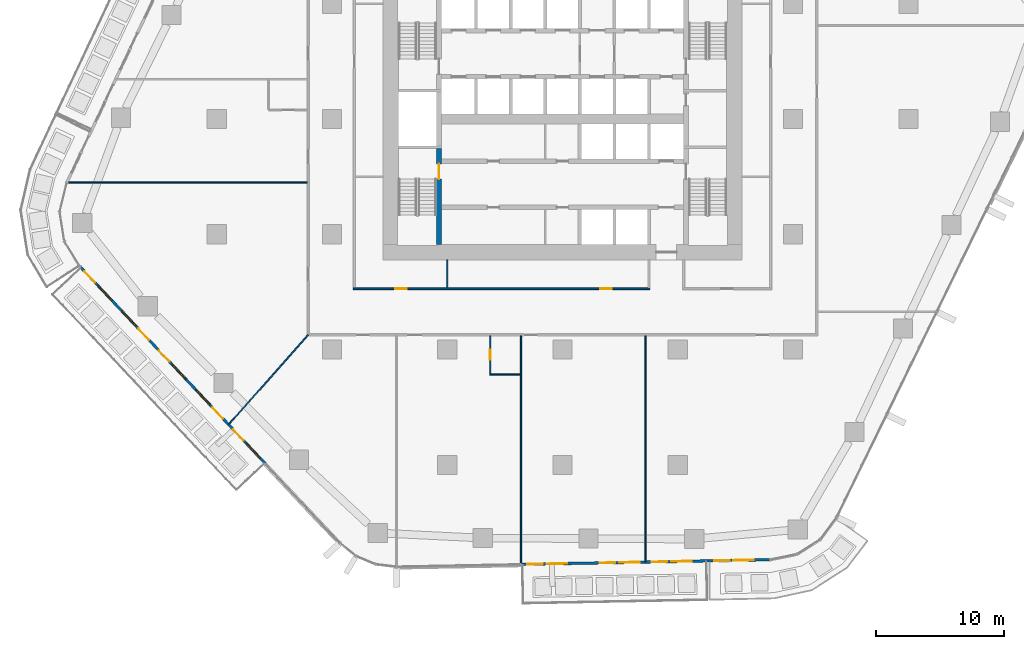
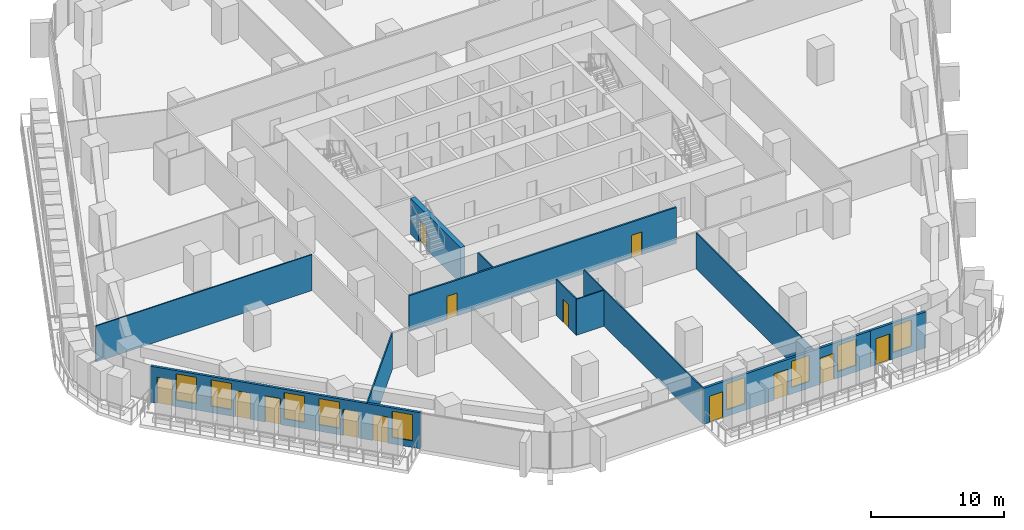
# One storey, part 13 of 25: 13 doors, 12 walls, 9 windows, 22 openings.
"""IFC4 building model written with IfcOpenShell, lengths in metres."""

import ifcopenshell
import ifcopenshell.guid

model = None  # the IFC model being written
_history = None  # IfcOwnerHistory: only IFC2X3 demands one
_inside = {}  # id of a spatial element -> (the spatial element, [elements in it])
_under = {}  # id of a project, library or spatial element -> (it, [spatial elements below it])
_declared = {}  # id of a project -> (the project, [libraries it declares])
_typed = {}  # id of a type object -> (the type object, [elements of that type])
_made_of = {}  # id of a material, layer set ... -> (it, [elements and type objects made of it])


def new_model(schema):
    """Start an empty IFC model of exactly this schema.

    Asked for "IFC4X3", IfcOpenShell would pick the latest addendum, in which some entities
    have other attributes; the version numbers below select the first issue.
    IFC2X3 requires an IfcOwnerHistory on every rooted entity: one is made here for all.
    """
    global model, _history
    if schema == "IFC4X3":
        model = ifcopenshell.file(schema_version=(4, 3, 0, 0))
    else:
        model = ifcopenshell.file(schema=schema)
    _inside.clear()
    _under.clear()
    _declared.clear()
    _typed.clear()
    _made_of.clear()
    _history = None
    if model.schema == "IFC2X3":
        org = make("IfcOrganization", Name="unknown")
        user = make(
            "IfcPersonAndOrganization",
            ThePerson=make("IfcPerson", FamilyName="unknown"),
            TheOrganization=org,
        )
        app = make(
            "IfcApplication",
            ApplicationDeveloper=org,
            Version="unknown",
            ApplicationFullName="unknown",
            ApplicationIdentifier="unknown",
        )
        _history = make(
            "IfcOwnerHistory",
            OwningUser=user,
            OwningApplication=app,
            ChangeAction="ADDED",
            CreationDate=0,
        )
    return model


def make(cls, **values):
    """One entity of the class cls with the attributes given. An attribute that is None is left unset."""
    return model.create_entity(
        cls, **{name: value for name, value in values.items() if value is not None}
    )


def rooted(cls, **values):
    """An entity with a GlobalId (a new one), such as an element, a storey or a relation."""
    return make(cls, GlobalId=ifcopenshell.guid.new(), OwnerHistory=_history, **values)


def si_unit(unit_type, name, prefix=None):
    """IfcSIUnit, for example si_unit("LENGTHUNIT", "METRE", prefix="MILLI")."""
    return make("IfcSIUnit", UnitType=unit_type, Prefix=prefix, Name=name)


def assignment(units):
    """IfcUnitAssignment: the units of a project."""
    return None if units is None else make("IfcUnitAssignment", Units=units)


def point(xyz):
    """IfcCartesianPoint."""
    return None if xyz is None else make("IfcCartesianPoint", Coordinates=xyz)


def direction(xyz):
    """IfcDirection."""
    return None if xyz is None else make("IfcDirection", DirectionRatios=xyz)


def frame(location, z_axis=None, x_axis=None):
    """IfcAxis2Placement3D, a coordinate frame: its origin and axes. An axis left out is left unset."""
    return make(
        "IfcAxis2Placement3D",
        Location=point(location),
        Axis=direction(z_axis),
        RefDirection=direction(x_axis),
    )


def frame_2d(location, x_axis=None):
    """IfcAxis2Placement2D, a coordinate frame in the plane: its origin and x axis."""
    return make(
        "IfcAxis2Placement2D", Location=point(location), RefDirection=direction(x_axis)
    )


def origin():
    """The frame at (0, 0, 0) with its axes left unset."""
    return frame((0.0, 0.0, 0.0))


def place(relative_to, where):
    """IfcLocalPlacement: puts the frame where relative to a parent placement (None: the world)."""
    return make(
        "IfcLocalPlacement", PlacementRelTo=relative_to, RelativePlacement=where
    )


def context(
    kind, dimensions, precision=None, world=None, true_north=None, identifier=None
):
    """IfcGeometricRepresentationContext, for example the 3D "Model" context."""
    return make(
        "IfcGeometricRepresentationContext",
        ContextIdentifier=identifier,
        ContextType=kind,
        CoordinateSpaceDimension=dimensions,
        Precision=precision,
        WorldCoordinateSystem=world,
        TrueNorth=true_north,
    )


def subcontext(parent, identifier, kind, view, scale=None):
    """IfcGeometricRepresentationSubContext, for example "Body" below "Model"."""
    return make(
        "IfcGeometricRepresentationSubContext",
        ContextIdentifier=identifier,
        ContextType=kind,
        ParentContext=parent,
        TargetScale=scale,
        TargetView=view,
    )


def project(units=None, contexts=None):
    """IfcProject with its units and contexts."""
    return rooted(
        "IfcProject",
        Name="project",
        RepresentationContexts=contexts,
        UnitsInContext=assignment(units),
    )


def spatial(cls, under=None, at=None, **own):
    """A site, building, storey or space (cls), placed at a placement, below another one or the project."""
    s = rooted(cls, ObjectPlacement=at, **own)
    if under is not None:
        _under.setdefault(under.id(), (under, []))[1].append(s)
    return s


def profile(cls, at=None, kind="AREA", **sizes):
    """A parametric profile (cls). Its sizes go by their IFC names, for example OverallWidth=200.0."""
    return make(cls, ProfileType=kind, Position=at, **sizes)


def rectangle(**sizes):
    """IfcRectangleProfileDef."""
    return profile("IfcRectangleProfileDef", **sizes)


def extrude(swept, where, along, depth):
    """IfcExtrudedAreaSolid: the profile swept, set in the frame where, extruded along a direction by depth."""
    return make(
        "IfcExtrudedAreaSolid",
        SweptArea=swept,
        Position=where,
        ExtrudedDirection=direction(along),
        Depth=depth,
    )


def shape(context_of_items, identifier, shape_type, items):
    """IfcShapeRepresentation: the items that make up one representation, for example the "Body"."""
    return make(
        "IfcShapeRepresentation",
        ContextOfItems=context_of_items,
        RepresentationIdentifier=identifier,
        RepresentationType=shape_type,
        Items=items,
    )


def material(Name=None, Category=None):
    """IfcMaterial."""
    return make("IfcMaterial", Name=Name, Category=Category)


def layer(
    of_material, thickness, ventilated=None, Name=None, Category=None, Priority=None
):
    """IfcMaterialLayer: one layer of a wall or slab, of a material (None: an air gap)."""
    return make(
        "IfcMaterialLayer",
        Material=of_material,
        LayerThickness=thickness,
        IsVentilated=ventilated,
        Name=Name,
        Category=Category,
        Priority=Priority,
    )


def layer_set(layers, Name=None):
    """IfcMaterialLayerSet."""
    return make("IfcMaterialLayerSet", MaterialLayers=layers, LayerSetName=Name)


def made_of(thing, what):
    """Note that an element or type object is made of a material, layer set ...; save() writes the relation."""
    if what is not None:
        _made_of.setdefault(what.id(), (what, []))[1].append(thing)
    return thing


def type_object(cls, material=None, **own):
    """A type object (cls), such as IfcWallType, which elements share."""
    return made_of(rooted(cls, **own), material)


def element(
    cls,
    number,
    at=None,
    inside=None,
    cuts=None,
    type_object=None,
    material=None,
    context=None,
    identifier="Body",
    shape_type=None,
    held_by="IfcProductDefinitionShape",
    body=None,
    shapes=None,
    **own,
):
    """One element of the class cls, such as IfcWall. Its Tag is "e" and its number.

    at: its placement. inside: the storey or other place that contains it. cuts: it is an
    opening in that element (IfcRelVoidsElement). A single representation is given by context,
    identifier, shape_type and body (its items); several are given by shapes. held_by: the class
    of the entity that holds the representations. save() writes the other relations.
    """
    e = rooted(cls, Tag="e%d" % number, ObjectPlacement=at, **own)
    if body is not None:
        shapes = [shape(context, identifier, shape_type, body)]
    if shapes is not None:
        e.Representation = make(held_by, Representations=shapes)
    if inside is not None:
        _inside.setdefault(inside.id(), (inside, []))[1].append(e)
    if cuts is not None:
        rooted(
            "IfcRelVoidsElement", RelatingBuildingElement=cuts, RelatedOpeningElement=e
        )
    if type_object is not None:
        _typed.setdefault(type_object.id(), (type_object, []))[1].append(e)
    return made_of(e, material)


def fill(opening, filler):
    """IfcRelFillsElement: the door or window that sits in an opening."""
    return rooted(
        "IfcRelFillsElement",
        RelatingOpeningElement=opening,
        RelatedBuildingElement=filler,
    )


def aggregate(whole, parts):
    """IfcRelAggregates: a whole, such as a stair, and the parts it consists of."""
    return rooted("IfcRelAggregates", RelatingObject=whole, RelatedObjects=parts)


def save(model, path):
    """Write the relations noted so far, then the file.

    IfcRelAggregates (storeys below a building ...), IfcRelContainedInSpatialStructure (elements
    in a storey), IfcRelDefinesByType, IfcRelAssociatesMaterial and IfcRelDeclares: one each for
    every whole, place, type object, material and project.
    """
    for whole, parts in _under.values():
        aggregate(whole, parts)
    for where, things in _inside.values():
        rooted(
            "IfcRelContainedInSpatialStructure",
            RelatedElements=things,
            RelatingStructure=where,
        )
    for kind, things in _typed.values():
        rooted("IfcRelDefinesByType", RelatedObjects=things, RelatingType=kind)
    for what, things in _made_of.values():
        rooted("IfcRelAssociatesMaterial", RelatedObjects=things, RelatingMaterial=what)
    for by, libraries in _declared.values():
        rooted("IfcRelDeclares", RelatingContext=by, RelatedDefinitions=libraries)
    model.write(path)


model = new_model("IFC4")

# Units and contexts
model_context = context("Model", 3, precision=1e-05, world=origin(), true_north=direction((0.0, 1.0)))
body_context = subcontext(model_context, "Body", "Model", "MODEL_VIEW")
ifc_project = project(units=[si_unit("LENGTHUNIT", "METRE"), si_unit("AREAUNIT", "SQUARE_METRE"), si_unit("VOLUMEUNIT", "CUBIC_METRE"), si_unit("PLANEANGLEUNIT", "RADIAN"), si_unit("MASSUNIT", "GRAM", prefix="KILO")], contexts=[model_context])

# Site, building, storey
site_placement = place(None, origin())
site = spatial("IfcSite", under=ifc_project, at=site_placement, CompositionType="ELEMENT")
building_placement = place(site_placement, origin())
building = spatial("IfcBuilding", under=site, at=building_placement, Name="Dongbaek Canopy Tower", CompositionType="ELEMENT")
storey_placement = place(building_placement, frame((0.0, 0.0, 81.0)))
storey = spatial("IfcBuildingStorey", under=building, at=storey_placement, Name="L16", CompositionType="ELEMENT", Elevation=81.0)

# Wall, openings, doors
ifc_material_1 = material(Name="Gypsum board partition, steel stud, 2 x 15 mm fire board", Category="steel")
ifc_layer_1 = layer(ifc_material_1, 0.14990234375)
ifc_layer_set_1 = layer_set([ifc_layer_1], Name="Fire-rated partition 150 gypsum board")
wall_type_1 = type_object("IfcWallType", Name="Fire-rated partition 150 gypsum board", PredefinedType="PARTITIONING", material=ifc_layer_set_1)
wall_1_placement = place(storey_placement, frame((-16.324951171875, -13.25, 0.0), z_axis=(0.0, 0.0, 1.0), x_axis=(1.0, 0.0, 0.0)))
wall_1 = element("IfcWall", 1, at=wall_1_placement, inside=storey, type_object=wall_type_1, Name="Corridor partition", PredefinedType="PARTITIONING", context=body_context, shape_type="SweptSolid", body=[
    extrude(rectangle(XDim=23.14990234375, YDim=0.14990234375, at=frame_2d((11.574951171875, 0.0))), origin(), (0.0, 0.0, 1.0), 3.300048828125),
])
opening_1_placement = place(wall_1_placement, frame((3.25, 0.0, 0.0)))
opening_1 = element("IfcOpeningElement", 2, at=opening_1_placement, cuts=wall_1, Name="Opening L16-D014", PredefinedType="OPENING", context=body_context, shape_type="SweptSolid", body=[
    extrude(rectangle(XDim=0.89990234375, YDim=2.10009765625, at=frame_2d((0.449951171875, 1.050048828125))), frame((0.0, 0.0849609375, 0.0), z_axis=(0.0, -1.0, 0.0), x_axis=(1.0, 0.0, 0.0)), (0.0, 0.0, 1.0), 0.169921875),
])
opening_2_placement = place(wall_1_placement, frame((19.25, 0.0, 0.0)))
opening_2 = element("IfcOpeningElement", 3, at=opening_2_placement, cuts=wall_1, Name="Opening L16-D015", PredefinedType="OPENING", context=body_context, shape_type="SweptSolid", body=[
    extrude(rectangle(XDim=0.89990234375, YDim=2.10009765625, at=frame_2d((0.449951171875, 1.050048828125))), frame((0.0, 0.0849609375, 0.0), z_axis=(0.0, -1.0, 0.0), x_axis=(1.0, 0.0, 0.0)), (0.0, 0.0, 1.0), 0.169921875),
])
ifc_material_2 = material(Name="Timber veneered door leaf", Category="wood")
door_type_1 = type_object("IfcDoorType", Name="Room door 900 x 2100", OperationType="SINGLE_SWING_LEFT", PredefinedType="DOOR", material=ifc_material_2)
door_1_placement = place(opening_1_placement, origin())
door_1 = element("IfcDoor", 4, at=door_1_placement, inside=storey, type_object=door_type_1, Name="Door L16-D014", OperationType="SINGLE_SWING_RIGHT", OverallHeight=2.10009765625, OverallWidth=0.89990234375, PredefinedType="DOOR", context=body_context, shape_type="SweptSolid", body=[
    extrude(rectangle(XDim=0.89990234375, YDim=2.10009765625, at=frame_2d((0.449951171875, 1.050048828125))), frame((0.0, 0.02490234375, 0.0), z_axis=(0.0, -1.0, 0.0), x_axis=(1.0, 0.0, 0.0)), (0.0, 0.0, 1.0), 0.050048828125),
])
fill(opening_1, door_1)
door_2_placement = place(opening_2_placement, origin())
door_2 = element("IfcDoor", 5, at=door_2_placement, inside=storey, type_object=door_type_1, Name="Door L16-D015", OperationType="SINGLE_SWING_LEFT", OverallHeight=2.10009765625, OverallWidth=0.89990234375, PredefinedType="DOOR", context=body_context, shape_type="SweptSolid", body=[
    extrude(rectangle(XDim=0.89990234375, YDim=2.10009765625, at=frame_2d((0.449951171875, 1.050048828125))), frame((0.0, 0.02490234375, 0.0), z_axis=(0.0, -1.0, 0.0), x_axis=(1.0, 0.0, 0.0)), (0.0, 0.0, 1.0), 0.050048828125),
])
fill(opening_2, door_2)

# Walls
ifc_material_3 = material(Name="Gypsum board partition, steel stud, 2 x 12.5 mm board", Category="steel")
ifc_layer_2 = layer(ifc_material_3, 0.10009765625)
ifc_layer_set_2 = layer_set([ifc_layer_2], Name="Partition 100 gypsum board")
wall_type_2 = type_object("IfcWallType", Name="Partition 100 gypsum board", PredefinedType="PARTITIONING", material=ifc_layer_set_2)
wall_2_placement = place(storey_placement, frame((-5.6953125, -19.949951171875, 0.0), z_axis=(0.0, 0.0, 1.0), x_axis=(1.0, 0.0, 0.0)))
element("IfcWall", 6, at=wall_2_placement, inside=storey, type_object=wall_type_2, Name="Partition", PredefinedType="PARTITIONING", context=body_context, shape_type="SweptSolid", body=[
    extrude(rectangle(XDim=2.400146484375, YDim=0.10009765625, at=frame_2d((1.2001953125, 0.0))), origin(), (0.0, 0.0, 1.0), 3.300048828125),
])
wall_3_placement = place(storey_placement, frame((-38.671875, -4.9541015625, 0.0), z_axis=(0.0, 0.0, 1.0), x_axis=(1.0, 0.0, 0.0)))
element("IfcWall", 7, at=wall_3_placement, inside=storey, type_object=wall_type_2, Name="Partition", PredefinedType="PARTITIONING", context=body_context, shape_type="SweptSolid", body=[
    extrude(rectangle(XDim=18.746826171875, YDim=0.10009765625, at=frame_2d((9.37353515625, 0.0))), origin(), (0.0, 0.0, 1.0), 3.300048828125),
])
wall_4_placement = place(storey_placement, frame((-26.0576171875, -23.839599609375, 0.0), z_axis=(0.0, 0.0, 1.0), x_axis=(0.664057412605, 0.747681585145, 0.0)))
element("IfcWall", 8, at=wall_4_placement, inside=storey, type_object=wall_type_2, Name="Partition", PredefinedType="PARTITIONING", context=body_context, shape_type="SweptSolid", body=[
    extrude(rectangle(XDim=9.34814453125, YDim=0.10009765625, at=frame_2d((4.674072265625, 0.0))), origin(), (0.0, 0.0, 1.0), 3.300048828125),
])
wall_5_placement = place(storey_placement, frame((6.47998046875, -34.567138671875, 0.0), z_axis=(0.0, 0.0, 1.0), x_axis=(0.0, 1.0, 0.0)))
element("IfcWall", 9, at=wall_5_placement, inside=storey, type_object=wall_type_2, Name="Partition", PredefinedType="PARTITIONING", context=body_context, shape_type="SweptSolid", body=[
    extrude(rectangle(XDim=17.64208984375, YDim=0.10009765625, at=frame_2d((8.821044921875, 0.0))), origin(), (0.0, 0.0, 1.0), 3.300048828125),
])
wall_6_placement = place(storey_placement, frame((-3.2451171875, -34.75146484375, 0.0), z_axis=(0.0, 0.0, 1.0), x_axis=(0.0, 1.0, 0.0)))
element("IfcWall", 10, at=wall_6_placement, inside=storey, type_object=wall_type_2, Name="Partition", PredefinedType="PARTITIONING", context=body_context, shape_type="SweptSolid", body=[
    extrude(rectangle(XDim=17.826416015625, YDim=0.10009765625, at=frame_2d((8.9130859375, 0.0))), origin(), (0.0, 0.0, 1.0), 3.300048828125),
])

# Wall, opening, door
wall_7_placement = place(storey_placement, frame((-5.64501953125, -16.925048828125, 0.0), z_axis=(0.0, 0.0, 1.0), x_axis=(0.0, -1.0, 0.0)))
wall_7 = element("IfcWall", 11, at=wall_7_placement, inside=storey, type_object=wall_type_2, Name="Partition", PredefinedType="PARTITIONING", context=body_context, shape_type="SweptSolid", body=[
    extrude(rectangle(XDim=2.974853515625, YDim=0.10009765625, at=frame_2d((1.4873046875, 0.0))), origin(), (0.0, 0.0, 1.0), 3.300048828125),
])
opening_3_placement = place(wall_7_placement, frame((1.074951171875, 0.0, 0.0)))
opening_3 = element("IfcOpeningElement", 12, at=opening_3_placement, cuts=wall_7, Name="Opening L16-D005", PredefinedType="OPENING", context=body_context, shape_type="SweptSolid", body=[
    extrude(rectangle(XDim=0.800048828125, YDim=2.10009765625, at=frame_2d((0.39990234375, 1.050048828125))), frame((0.0, 0.06005859375, 0.0), z_axis=(0.0, -1.0, 0.0), x_axis=(1.0, 0.0, 0.0)), (0.0, 0.0, 1.0), 0.1201171875),
])
ifc_material_4 = material(Name="Timber veneered door leaf", Category="wood")
door_type_2 = type_object("IfcDoorType", Name="En-suite door 800 x 2100", OperationType="SINGLE_SWING_LEFT", PredefinedType="DOOR", material=ifc_material_4)
door_3_placement = place(opening_3_placement, origin())
door_3 = element("IfcDoor", 13, at=door_3_placement, inside=storey, type_object=door_type_2, Name="Door L16-D005", OperationType="SINGLE_SWING_RIGHT", OverallHeight=2.10009765625, OverallWidth=0.800048828125, PredefinedType="DOOR", context=body_context, shape_type="SweptSolid", body=[
    extrude(rectangle(XDim=0.800048828125, YDim=2.10009765625, at=frame_2d((0.39990234375, 1.050048828125))), frame((0.0, 0.02490234375, 0.0), z_axis=(0.0, -1.0, 0.0), x_axis=(1.0, 0.0, 0.0)), (0.0, 0.0, 1.0), 0.050048828125),
])
fill(opening_3, door_3)

# Wall
wall_8_placement = place(storey_placement, frame((-9.0, -13.175048828125, 0.0), z_axis=(0.0, 0.0, 1.0), x_axis=(0.0, 1.0, 0.0)))
element("IfcWall", 14, at=wall_8_placement, inside=storey, type_object=wall_type_2, Name="Partition", PredefinedType="PARTITIONING", context=body_context, shape_type="SweptSolid", body=[
    extrude(rectangle(XDim=2.175048828125, YDim=0.10009765625, at=frame_2d((1.08740234375, 0.0))), origin(), (0.0, 0.0, 1.0), 3.300048828125),
])

# Wall, opening, door
ifc_material_5 = material(Name="Concrete C60/75", Category="concrete")
ifc_layer_3 = layer(ifc_material_5, 0.39990234375)
ifc_layer_set_3 = layer_set([ifc_layer_3], Name="Stair wall 400 Concrete C60/75")
wall_type_3 = type_object("IfcWallType", Name="Stair wall 400 Concrete C60/75", PredefinedType="SHEAR", material=ifc_layer_set_3)
wall_9_placement = place(storey_placement, frame((-9.64990234375, -9.800048828125, 0.0), z_axis=(0.0, 0.0, 1.0), x_axis=(0.0, 1.0, 0.0)))
wall_9 = element("IfcWall", 15, at=wall_9_placement, inside=storey, type_object=wall_type_3, Name="Stair wall", PredefinedType="SHEAR", context=body_context, shape_type="SweptSolid", body=[
    extrude(rectangle(XDim=7.5, YDim=0.39990234375, at=frame_2d((3.75, 0.0))), origin(), (0.0, 0.0, 1.0), 3.300048828125),
])
opening_4_placement = place(wall_9_placement, frame((5.10009765625, 0.0, 0.0)))
opening_4 = element("IfcOpeningElement", 16, at=opening_4_placement, cuts=wall_9, Name="Opening L16-D048", PredefinedType="OPENING", context=body_context, shape_type="SweptSolid", body=[
    extrude(rectangle(XDim=1.199951171875, YDim=2.10009765625, at=frame_2d((0.60009765625, 1.050048828125))), frame((0.0, 0.2099609375, 0.0), z_axis=(0.0, -1.0, 0.0), x_axis=(1.0, 0.0, 0.0)), (0.0, 0.0, 1.0), 0.419921875),
])
ifc_material_6 = material(Name="Steel", Category="steel")
door_type_3 = type_object("IfcDoorType", Name="Stair door 1200 x 2100", OperationType="SINGLE_SWING_LEFT", PredefinedType="DOOR", material=ifc_material_6)
door_4_placement = place(opening_4_placement, origin())
door_4 = element("IfcDoor", 17, at=door_4_placement, inside=storey, type_object=door_type_3, Name="Stair D door", OperationType="SINGLE_SWING_LEFT", OverallHeight=2.10009765625, OverallWidth=1.199951171875, PredefinedType="DOOR", context=body_context, shape_type="SweptSolid", body=[
    extrude(rectangle(XDim=1.199951171875, YDim=2.10009765625, at=frame_2d((0.60009765625, 1.050048828125))), frame((0.0, 0.02490234375, 0.0), z_axis=(0.0, -1.0, 0.0), x_axis=(1.0, 0.0, 0.0)), (0.0, 0.0, 1.0), 0.050048828125),
])
fill(opening_4, door_4)

# Wall, openings, doors, windows
ifc_material_7 = material(Name="Aluminium window wall", Category="aluminium")
ifc_layer_4 = layer(ifc_material_7, 0.199951171875)
ifc_layer_set_4 = layer_set([ifc_layer_4], Name="Window wall 200")
wall_type_4 = type_object("IfcWallType", Name="Window wall 200", PredefinedType="SOLIDWALL", material=ifc_layer_set_4)
wall_10_placement = place(storey_placement, frame((-37.655517578125, -11.5322265625, 0.0), z_axis=(0.0, 0.0, 1.0), x_axis=(0.684960405986, -0.728580292234, 0.0)))
wall_10 = element("IfcWall", 18, at=wall_10_placement, inside=storey, type_object=wall_type_4, Name="Window wall L16 3", PredefinedType="SOLIDWALL", context=body_context, shape_type="SweptSolid", body=[
    extrude(rectangle(XDim=21.139892578125, YDim=0.199951171875, at=frame_2d((10.56982421875, 0.0))), origin(), (0.0, 0.0, 1.0), 3.300048828125),
])
opening_5_placement = place(wall_10_placement, frame((2.0, 0.0, 0.60009765625)))
opening_5 = element("IfcOpeningElement", 19, at=opening_5_placement, cuts=wall_10, Name="Opening W1", PredefinedType="OPENING", context=body_context, shape_type="SweptSolid", body=[
    extrude(rectangle(XDim=1.60009765625, YDim=2.39990234375, at=frame_2d((0.800048828125, 1.199951171875))), frame((0.0, 0.10986328125, 0.0), z_axis=(0.0, -1.0, 0.0), x_axis=(1.0, 0.0, 0.0)), (0.0, 0.0, 1.0), 0.219970703125),
])
opening_6_placement = place(wall_10_placement, frame((0.5, 0.0, 0.0)))
opening_6 = element("IfcOpeningElement", 20, at=opening_6_placement, cuts=wall_10, Name="Opening L16-B13", PredefinedType="OPENING", context=body_context, shape_type="SweptSolid", body=[
    extrude(rectangle(XDim=1.199951171875, YDim=2.39990234375, at=frame_2d((0.60009765625, 1.199951171875))), frame((0.0, 0.10986328125, 0.0), z_axis=(0.0, -1.0, 0.0), x_axis=(1.0, 0.0, 0.0)), (0.0, 0.0, 1.0), 0.219970703125),
])
opening_7_placement = place(wall_10_placement, frame((4.72802734375, 0.0, 0.60009765625)))
opening_7 = element("IfcOpeningElement", 21, at=opening_7_placement, cuts=wall_10, Name="Opening W1", PredefinedType="OPENING", context=body_context, shape_type="SweptSolid", body=[
    extrude(rectangle(XDim=1.60009765625, YDim=2.39990234375, at=frame_2d((0.800048828125, 1.199951171875))), frame((0.0, 0.10986328125, 0.0), z_axis=(0.0, -1.0, 0.0), x_axis=(1.0, 0.0, 0.0)), (0.0, 0.0, 1.0), 0.219970703125),
])
opening_8_placement = place(wall_10_placement, frame((6.6279296875, 0.0, 0.0)))
opening_8 = element("IfcOpeningElement", 22, at=opening_8_placement, cuts=wall_10, Name="Opening L16-B14", PredefinedType="OPENING", context=body_context, shape_type="SweptSolid", body=[
    extrude(rectangle(XDim=1.199951171875, YDim=2.39990234375, at=frame_2d((0.60009765625, 1.199951171875))), frame((0.0, 0.10986328125, 0.0), z_axis=(0.0, -1.0, 0.0), x_axis=(1.0, 0.0, 0.0)), (0.0, 0.0, 1.0), 0.219970703125),
])
opening_9_placement = place(wall_10_placement, frame((10.4560546875, 0.0, 0.60009765625)))
opening_9 = element("IfcOpeningElement", 23, at=opening_9_placement, cuts=wall_10, Name="Opening W1", PredefinedType="OPENING", context=body_context, shape_type="SweptSolid", body=[
    extrude(rectangle(XDim=1.60009765625, YDim=2.39990234375, at=frame_2d((0.800048828125, 1.199951171875))), frame((0.0, 0.10986328125, 0.0), z_axis=(0.0, -1.0, 0.0), x_axis=(1.0, 0.0, 0.0)), (0.0, 0.0, 1.0), 0.219970703125),
])
opening_10_placement = place(wall_10_placement, frame((8.9560546875, 0.0, 0.0)))
opening_10 = element("IfcOpeningElement", 24, at=opening_10_placement, cuts=wall_10, Name="Opening L16-B15", PredefinedType="OPENING", context=body_context, shape_type="SweptSolid", body=[
    extrude(rectangle(XDim=1.199951171875, YDim=2.39990234375, at=frame_2d((0.60009765625, 1.199951171875))), frame((0.0, 0.10986328125, 0.0), z_axis=(0.0, -1.0, 0.0), x_axis=(1.0, 0.0, 0.0)), (0.0, 0.0, 1.0), 0.219970703125),
])
opening_11_placement = place(wall_10_placement, frame((13.183837890625, 0.0, 0.60009765625)))
opening_11 = element("IfcOpeningElement", 25, at=opening_11_placement, cuts=wall_10, Name="Opening W1", PredefinedType="OPENING", context=body_context, shape_type="SweptSolid", body=[
    extrude(rectangle(XDim=1.60009765625, YDim=2.39990234375, at=frame_2d((0.800048828125, 1.199951171875))), frame((0.0, 0.10986328125, 0.0), z_axis=(0.0, -1.0, 0.0), x_axis=(1.0, 0.0, 0.0)), (0.0, 0.0, 1.0), 0.219970703125),
])
opening_12_placement = place(wall_10_placement, frame((15.083984375, 0.0, 0.0)))
opening_12 = element("IfcOpeningElement", 26, at=opening_12_placement, cuts=wall_10, Name="Opening L16-B16", PredefinedType="OPENING", context=body_context, shape_type="SweptSolid", body=[
    extrude(rectangle(XDim=1.199951171875, YDim=2.39990234375, at=frame_2d((0.60009765625, 1.199951171875))), frame((0.0, 0.10986328125, 0.0), z_axis=(0.0, -1.0, 0.0), x_axis=(1.0, 0.0, 0.0)), (0.0, 0.0, 1.0), 0.219970703125),
])
opening_13_placement = place(wall_10_placement, frame((18.911865234375, 0.0, 0.60009765625)))
opening_13 = element("IfcOpeningElement", 27, at=opening_13_placement, cuts=wall_10, Name="Opening W1", PredefinedType="OPENING", context=body_context, shape_type="SweptSolid", body=[
    extrude(rectangle(XDim=1.60009765625, YDim=2.39990234375, at=frame_2d((0.800048828125, 1.199951171875))), frame((0.0, 0.10986328125, 0.0), z_axis=(0.0, -1.0, 0.0), x_axis=(1.0, 0.0, 0.0)), (0.0, 0.0, 1.0), 0.219970703125),
])
opening_14_placement = place(wall_10_placement, frame((17.411865234375, 0.0, 0.0)))
opening_14 = element("IfcOpeningElement", 28, at=opening_14_placement, cuts=wall_10, Name="Opening L16-B17", PredefinedType="OPENING", context=body_context, shape_type="SweptSolid", body=[
    extrude(rectangle(XDim=1.199951171875, YDim=2.39990234375, at=frame_2d((0.60009765625, 1.199951171875))), frame((0.0, 0.10986328125, 0.0), z_axis=(0.0, -1.0, 0.0), x_axis=(1.0, 0.0, 0.0)), (0.0, 0.0, 1.0), 0.219970703125),
])
ifc_material_8 = material(Name="Clear glazing in aluminium frame", Category="aluminium")
door_type_4 = type_object("IfcDoorType", Name="Balcony door BD1 1200 x 2400", OperationType="SLIDING_TO_LEFT", PredefinedType="DOOR", material=ifc_material_8)
door_5_placement = place(opening_6_placement, origin())
door_5 = element("IfcDoor", 29, at=door_5_placement, inside=storey, type_object=door_type_4, Name="Balcony door L16-B13", OperationType="SLIDING_TO_LEFT", OverallHeight=2.39990234375, OverallWidth=1.199951171875, PredefinedType="DOOR", context=body_context, shape_type="SweptSolid", body=[
    extrude(rectangle(XDim=1.199951171875, YDim=2.39990234375, at=frame_2d((0.60009765625, 1.199951171875))), frame((0.0, 0.02490234375, 0.0), z_axis=(0.0, -1.0, 0.0), x_axis=(1.0, 0.0, 0.0)), (0.0, 0.0, 1.0), 0.050048828125),
])
fill(opening_6, door_5)
door_6_placement = place(opening_8_placement, origin())
door_6 = element("IfcDoor", 30, at=door_6_placement, inside=storey, type_object=door_type_4, Name="Balcony door L16-B14", OperationType="SLIDING_TO_LEFT", OverallHeight=2.39990234375, OverallWidth=1.199951171875, PredefinedType="DOOR", context=body_context, shape_type="SweptSolid", body=[
    extrude(rectangle(XDim=1.199951171875, YDim=2.39990234375, at=frame_2d((0.60009765625, 1.199951171875))), frame((0.0, 0.02490234375, 0.0), z_axis=(0.0, -1.0, 0.0), x_axis=(1.0, 0.0, 0.0)), (0.0, 0.0, 1.0), 0.050048828125),
])
fill(opening_8, door_6)
door_7_placement = place(opening_10_placement, origin())
door_7 = element("IfcDoor", 31, at=door_7_placement, inside=storey, type_object=door_type_4, Name="Balcony door L16-B15", OperationType="SLIDING_TO_LEFT", OverallHeight=2.39990234375, OverallWidth=1.199951171875, PredefinedType="DOOR", context=body_context, shape_type="SweptSolid", body=[
    extrude(rectangle(XDim=1.199951171875, YDim=2.39990234375, at=frame_2d((0.60009765625, 1.199951171875))), frame((0.0, 0.02490234375, 0.0), z_axis=(0.0, -1.0, 0.0), x_axis=(1.0, 0.0, 0.0)), (0.0, 0.0, 1.0), 0.050048828125),
])
fill(opening_10, door_7)
door_8_placement = place(opening_12_placement, origin())
door_8 = element("IfcDoor", 32, at=door_8_placement, inside=storey, type_object=door_type_4, Name="Balcony door L16-B16", OperationType="SLIDING_TO_LEFT", OverallHeight=2.39990234375, OverallWidth=1.199951171875, PredefinedType="DOOR", context=body_context, shape_type="SweptSolid", body=[
    extrude(rectangle(XDim=1.199951171875, YDim=2.39990234375, at=frame_2d((0.60009765625, 1.199951171875))), frame((0.0, 0.02490234375, 0.0), z_axis=(0.0, -1.0, 0.0), x_axis=(1.0, 0.0, 0.0)), (0.0, 0.0, 1.0), 0.050048828125),
])
fill(opening_12, door_8)
door_9_placement = place(opening_14_placement, origin())
door_9 = element("IfcDoor", 33, at=door_9_placement, inside=storey, type_object=door_type_4, Name="Balcony door L16-B17", OperationType="SLIDING_TO_LEFT", OverallHeight=2.39990234375, OverallWidth=1.199951171875, PredefinedType="DOOR", context=body_context, shape_type="SweptSolid", body=[
    extrude(rectangle(XDim=1.199951171875, YDim=2.39990234375, at=frame_2d((0.60009765625, 1.199951171875))), frame((0.0, 0.02490234375, 0.0), z_axis=(0.0, -1.0, 0.0), x_axis=(1.0, 0.0, 0.0)), (0.0, 0.0, 1.0), 0.050048828125),
])
fill(opening_14, door_9)
ifc_material_9 = material(Name="Clear glazing in aluminium frame", Category="aluminium")
window_type = type_object("IfcWindowType", Name="Window W1 1600 x 2400", PartitioningType="SINGLE_PANEL", PredefinedType="WINDOW", material=ifc_material_9)
window_1_placement = place(opening_5_placement, origin())
window_1 = element("IfcWindow", 34, at=window_1_placement, inside=storey, type_object=window_type, Name="Window L16 3.1", OverallHeight=2.39990234375, OverallWidth=1.60009765625, PartitioningType="SINGLE_PANEL", PredefinedType="WINDOW", context=body_context, shape_type="SweptSolid", body=[
    extrude(rectangle(XDim=1.60009765625, YDim=2.39990234375, at=frame_2d((0.800048828125, 1.199951171875))), frame((0.0, 0.030029296875, 0.0), z_axis=(0.0, -1.0, 0.0), x_axis=(1.0, 0.0, 0.0)), (0.0, 0.0, 1.0), 0.06005859375),
])
fill(opening_5, window_1)
window_2_placement = place(opening_7_placement, origin())
window_2 = element("IfcWindow", 35, at=window_2_placement, inside=storey, type_object=window_type, Name="Window L16 3.2", OverallHeight=2.39990234375, OverallWidth=1.60009765625, PartitioningType="SINGLE_PANEL", PredefinedType="WINDOW", context=body_context, shape_type="SweptSolid", body=[
    extrude(rectangle(XDim=1.60009765625, YDim=2.39990234375, at=frame_2d((0.800048828125, 1.199951171875))), frame((0.0, 0.030029296875, 0.0), z_axis=(0.0, -1.0, 0.0), x_axis=(1.0, 0.0, 0.0)), (0.0, 0.0, 1.0), 0.06005859375),
])
fill(opening_7, window_2)
window_3_placement = place(opening_9_placement, origin())
window_3 = element("IfcWindow", 36, at=window_3_placement, inside=storey, type_object=window_type, Name="Window L16 3.3", OverallHeight=2.39990234375, OverallWidth=1.60009765625, PartitioningType="SINGLE_PANEL", PredefinedType="WINDOW", context=body_context, shape_type="SweptSolid", body=[
    extrude(rectangle(XDim=1.60009765625, YDim=2.39990234375, at=frame_2d((0.800048828125, 1.199951171875))), frame((0.0, 0.030029296875, 0.0), z_axis=(0.0, -1.0, 0.0), x_axis=(1.0, 0.0, 0.0)), (0.0, 0.0, 1.0), 0.06005859375),
])
fill(opening_9, window_3)
window_4_placement = place(opening_11_placement, origin())
window_4 = element("IfcWindow", 37, at=window_4_placement, inside=storey, type_object=window_type, Name="Window L16 3.4", OverallHeight=2.39990234375, OverallWidth=1.60009765625, PartitioningType="SINGLE_PANEL", PredefinedType="WINDOW", context=body_context, shape_type="SweptSolid", body=[
    extrude(rectangle(XDim=1.60009765625, YDim=2.39990234375, at=frame_2d((0.800048828125, 1.199951171875))), frame((0.0, 0.030029296875, 0.0), z_axis=(0.0, -1.0, 0.0), x_axis=(1.0, 0.0, 0.0)), (0.0, 0.0, 1.0), 0.06005859375),
])
fill(opening_11, window_4)
window_5_placement = place(opening_13_placement, origin())
window_5 = element("IfcWindow", 38, at=window_5_placement, inside=storey, type_object=window_type, Name="Window L16 3.5", OverallHeight=2.39990234375, OverallWidth=1.60009765625, PartitioningType="SINGLE_PANEL", PredefinedType="WINDOW", context=body_context, shape_type="SweptSolid", body=[
    extrude(rectangle(XDim=1.60009765625, YDim=2.39990234375, at=frame_2d((0.800048828125, 1.199951171875))), frame((0.0, 0.030029296875, 0.0), z_axis=(0.0, -1.0, 0.0), x_axis=(1.0, 0.0, 0.0)), (0.0, 0.0, 1.0), 0.06005859375),
])
fill(opening_13, window_5)

wall_11_placement = place(storey_placement, frame((-3.2451171875, -34.771484375, 0.0), z_axis=(0.0, 0.0, 1.0), x_axis=(0.99982027527, 0.018958300507, 0.0)))
wall_11 = element("IfcWall", 39, at=wall_11_placement, inside=storey, type_object=wall_type_4, Name="Window wall L16 4", PredefinedType="SOLIDWALL", context=body_context, shape_type="SweptSolid", body=[
    extrude(rectangle(XDim=14.590576171875, YDim=0.199951171875, at=frame_2d((7.29541015625, 0.0))), origin(), (0.0, 0.0, 1.0), 3.300048828125),
])
opening_15_placement = place(wall_11_placement, frame((2.0, 0.0, 0.60009765625)))
opening_15 = element("IfcOpeningElement", 40, at=opening_15_placement, cuts=wall_11, Name="Opening W1", PredefinedType="OPENING", context=body_context, shape_type="SweptSolid", body=[
    extrude(rectangle(XDim=1.60009765625, YDim=2.39990234375, at=frame_2d((0.800048828125, 1.199951171875))), frame((0.0, 0.10986328125, 0.0), z_axis=(0.0, -1.0, 0.0), x_axis=(1.0, 0.0, 0.0)), (0.0, 0.0, 1.0), 0.219970703125),
])
opening_16_placement = place(wall_11_placement, frame((0.5, 0.0, 0.0)))
opening_16 = element("IfcOpeningElement", 41, at=opening_16_placement, cuts=wall_11, Name="Opening L16-B18", PredefinedType="OPENING", context=body_context, shape_type="SweptSolid", body=[
    extrude(rectangle(XDim=1.199951171875, YDim=2.39990234375, at=frame_2d((0.60009765625, 1.199951171875))), frame((0.0, 0.10986328125, 0.0), z_axis=(0.0, -1.0, 0.0), x_axis=(1.0, 0.0, 0.0)), (0.0, 0.0, 1.0), 0.219970703125),
])
opening_17_placement = place(wall_11_placement, frame((7.66357421875, 0.0, 0.60009765625)))
opening_17 = element("IfcOpeningElement", 42, at=opening_17_placement, cuts=wall_11, Name="Opening W1", PredefinedType="OPENING", context=body_context, shape_type="SweptSolid", body=[
    extrude(rectangle(XDim=1.60009765625, YDim=2.39990234375, at=frame_2d((0.800048828125, 1.199951171875))), frame((0.0, 0.10986328125, 0.0), z_axis=(0.0, -1.0, 0.0), x_axis=(1.0, 0.0, 0.0)), (0.0, 0.0, 1.0), 0.219970703125),
])
opening_18_placement = place(wall_11_placement, frame((6.16357421875, 0.0, 0.0)))
opening_18 = element("IfcOpeningElement", 43, at=opening_18_placement, cuts=wall_11, Name="Opening L16-B19", PredefinedType="OPENING", context=body_context, shape_type="SweptSolid", body=[
    extrude(rectangle(XDim=1.199951171875, YDim=2.39990234375, at=frame_2d((0.60009765625, 1.199951171875))), frame((0.0, 0.10986328125, 0.0), z_axis=(0.0, -1.0, 0.0), x_axis=(1.0, 0.0, 0.0)), (0.0, 0.0, 1.0), 0.219970703125),
])
opening_19_placement = place(wall_11_placement, frame((11.72705078125, 0.0, 0.60009765625)))
opening_19 = element("IfcOpeningElement", 44, at=opening_19_placement, cuts=wall_11, Name="Opening W1", PredefinedType="OPENING", context=body_context, shape_type="SweptSolid", body=[
    extrude(rectangle(XDim=1.60009765625, YDim=2.39990234375, at=frame_2d((0.800048828125, 1.199951171875))), frame((0.0, 0.10986328125, 0.0), z_axis=(0.0, -1.0, 0.0), x_axis=(1.0, 0.0, 0.0)), (0.0, 0.0, 1.0), 0.219970703125),
])
opening_20_placement = place(wall_11_placement, frame((10.22705078125, 0.0, 0.0)))
opening_20 = element("IfcOpeningElement", 45, at=opening_20_placement, cuts=wall_11, Name="Opening L16-B20", PredefinedType="OPENING", context=body_context, shape_type="SweptSolid", body=[
    extrude(rectangle(XDim=1.199951171875, YDim=2.39990234375, at=frame_2d((0.60009765625, 1.199951171875))), frame((0.0, 0.10986328125, 0.0), z_axis=(0.0, -1.0, 0.0), x_axis=(1.0, 0.0, 0.0)), (0.0, 0.0, 1.0), 0.219970703125),
])
door_10_placement = place(opening_16_placement, origin())
door_10 = element("IfcDoor", 46, at=door_10_placement, inside=storey, type_object=door_type_4, Name="Balcony door L16-B18", OperationType="SLIDING_TO_LEFT", OverallHeight=2.39990234375, OverallWidth=1.199951171875, PredefinedType="DOOR", context=body_context, shape_type="SweptSolid", body=[
    extrude(rectangle(XDim=1.199951171875, YDim=2.39990234375, at=frame_2d((0.60009765625, 1.199951171875))), frame((0.0, 0.02490234375, 0.0), z_axis=(0.0, -1.0, 0.0), x_axis=(1.0, 0.0, 0.0)), (0.0, 0.0, 1.0), 0.050048828125),
])
fill(opening_16, door_10)
door_11_placement = place(opening_18_placement, origin())
door_11 = element("IfcDoor", 47, at=door_11_placement, inside=storey, type_object=door_type_4, Name="Balcony door L16-B19", OperationType="SLIDING_TO_LEFT", OverallHeight=2.39990234375, OverallWidth=1.199951171875, PredefinedType="DOOR", context=body_context, shape_type="SweptSolid", body=[
    extrude(rectangle(XDim=1.199951171875, YDim=2.39990234375, at=frame_2d((0.60009765625, 1.199951171875))), frame((0.0, 0.02490234375, 0.0), z_axis=(0.0, -1.0, 0.0), x_axis=(1.0, 0.0, 0.0)), (0.0, 0.0, 1.0), 0.050048828125),
])
fill(opening_18, door_11)
door_12_placement = place(opening_20_placement, origin())
door_12 = element("IfcDoor", 48, at=door_12_placement, inside=storey, type_object=door_type_4, Name="Balcony door L16-B20", OperationType="SLIDING_TO_LEFT", OverallHeight=2.39990234375, OverallWidth=1.199951171875, PredefinedType="DOOR", context=body_context, shape_type="SweptSolid", body=[
    extrude(rectangle(XDim=1.199951171875, YDim=2.39990234375, at=frame_2d((0.60009765625, 1.199951171875))), frame((0.0, 0.02490234375, 0.0), z_axis=(0.0, -1.0, 0.0), x_axis=(1.0, 0.0, 0.0)), (0.0, 0.0, 1.0), 0.050048828125),
])
fill(opening_20, door_12)
window_6_placement = place(opening_15_placement, origin())
window_6 = element("IfcWindow", 49, at=window_6_placement, inside=storey, type_object=window_type, Name="Window L16 4.1", OverallHeight=2.39990234375, OverallWidth=1.60009765625, PartitioningType="SINGLE_PANEL", PredefinedType="WINDOW", context=body_context, shape_type="SweptSolid", body=[
    extrude(rectangle(XDim=1.60009765625, YDim=2.39990234375, at=frame_2d((0.800048828125, 1.199951171875))), frame((0.0, 0.030029296875, 0.0), z_axis=(0.0, -1.0, 0.0), x_axis=(1.0, 0.0, 0.0)), (0.0, 0.0, 1.0), 0.06005859375),
])
fill(opening_15, window_6)
window_7_placement = place(opening_17_placement, origin())
window_7 = element("IfcWindow", 50, at=window_7_placement, inside=storey, type_object=window_type, Name="Window L16 4.2", OverallHeight=2.39990234375, OverallWidth=1.60009765625, PartitioningType="SINGLE_PANEL", PredefinedType="WINDOW", context=body_context, shape_type="SweptSolid", body=[
    extrude(rectangle(XDim=1.60009765625, YDim=2.39990234375, at=frame_2d((0.800048828125, 1.199951171875))), frame((0.0, 0.030029296875, 0.0), z_axis=(0.0, -1.0, 0.0), x_axis=(1.0, 0.0, 0.0)), (0.0, 0.0, 1.0), 0.06005859375),
])
fill(opening_17, window_7)
window_8_placement = place(opening_19_placement, origin())
window_8 = element("IfcWindow", 51, at=window_8_placement, inside=storey, type_object=window_type, Name="Window L16 4.3", OverallHeight=2.39990234375, OverallWidth=1.60009765625, PartitioningType="SINGLE_PANEL", PredefinedType="WINDOW", context=body_context, shape_type="SweptSolid", body=[
    extrude(rectangle(XDim=1.60009765625, YDim=2.39990234375, at=frame_2d((0.800048828125, 1.199951171875))), frame((0.0, 0.030029296875, 0.0), z_axis=(0.0, -1.0, 0.0), x_axis=(1.0, 0.0, 0.0)), (0.0, 0.0, 1.0), 0.06005859375),
])
fill(opening_19, window_8)

# Wall, openings, door, window
wall_12_placement = place(storey_placement, frame((11.3427734375, -34.494873046875, 0.0), z_axis=(0.0, 0.0, 1.0), x_axis=(0.999821170107, 0.01891104985, 0.0)))
wall_12 = element("IfcWall", 52, at=wall_12_placement, inside=storey, type_object=wall_type_4, Name="Window wall L16 7", PredefinedType="SOLIDWALL", context=body_context, shape_type="SweptSolid", body=[
    extrude(rectangle(XDim=4.854248046875, YDim=0.199951171875, at=frame_2d((2.42724609375, 0.0))), origin(), (0.0, 0.0, 1.0), 3.300048828125),
])
opening_21_placement = place(wall_12_placement, frame((2.0, 0.0, 0.60009765625)))
opening_21 = element("IfcOpeningElement", 53, at=opening_21_placement, cuts=wall_12, Name="Opening W1", PredefinedType="OPENING", context=body_context, shape_type="SweptSolid", body=[
    extrude(rectangle(XDim=1.60009765625, YDim=2.39990234375, at=frame_2d((0.800048828125, 1.199951171875))), frame((0.0, 0.10986328125, 0.0), z_axis=(0.0, -1.0, 0.0), x_axis=(1.0, 0.0, 0.0)), (0.0, 0.0, 1.0), 0.219970703125),
])
opening_22_placement = place(wall_12_placement, frame((0.5, 0.0, 0.0)))
opening_22 = element("IfcOpeningElement", 54, at=opening_22_placement, cuts=wall_12, Name="Opening L16-B21", PredefinedType="OPENING", context=body_context, shape_type="SweptSolid", body=[
    extrude(rectangle(XDim=1.199951171875, YDim=2.39990234375, at=frame_2d((0.60009765625, 1.199951171875))), frame((0.0, 0.10986328125, 0.0), z_axis=(0.0, -1.0, 0.0), x_axis=(1.0, 0.0, 0.0)), (0.0, 0.0, 1.0), 0.219970703125),
])
door_13_placement = place(opening_22_placement, origin())
door_13 = element("IfcDoor", 55, at=door_13_placement, inside=storey, type_object=door_type_4, Name="Balcony door L16-B21", OperationType="SLIDING_TO_LEFT", OverallHeight=2.39990234375, OverallWidth=1.199951171875, PredefinedType="DOOR", context=body_context, shape_type="SweptSolid", body=[
    extrude(rectangle(XDim=1.199951171875, YDim=2.39990234375, at=frame_2d((0.60009765625, 1.199951171875))), frame((0.0, 0.02490234375, 0.0), z_axis=(0.0, -1.0, 0.0), x_axis=(1.0, 0.0, 0.0)), (0.0, 0.0, 1.0), 0.050048828125),
])
fill(opening_22, door_13)
window_9_placement = place(opening_21_placement, origin())
window_9 = element("IfcWindow", 56, at=window_9_placement, inside=storey, type_object=window_type, Name="Window L16 7.1", OverallHeight=2.39990234375, OverallWidth=1.60009765625, PartitioningType="SINGLE_PANEL", PredefinedType="WINDOW", context=body_context, shape_type="SweptSolid", body=[
    extrude(rectangle(XDim=1.60009765625, YDim=2.39990234375, at=frame_2d((0.800048828125, 1.199951171875))), frame((0.0, 0.030029296875, 0.0), z_axis=(0.0, -1.0, 0.0), x_axis=(1.0, 0.0, 0.0)), (0.0, 0.0, 1.0), 0.06005859375),
])
fill(opening_21, window_9)

save(model, "model.ifc")
